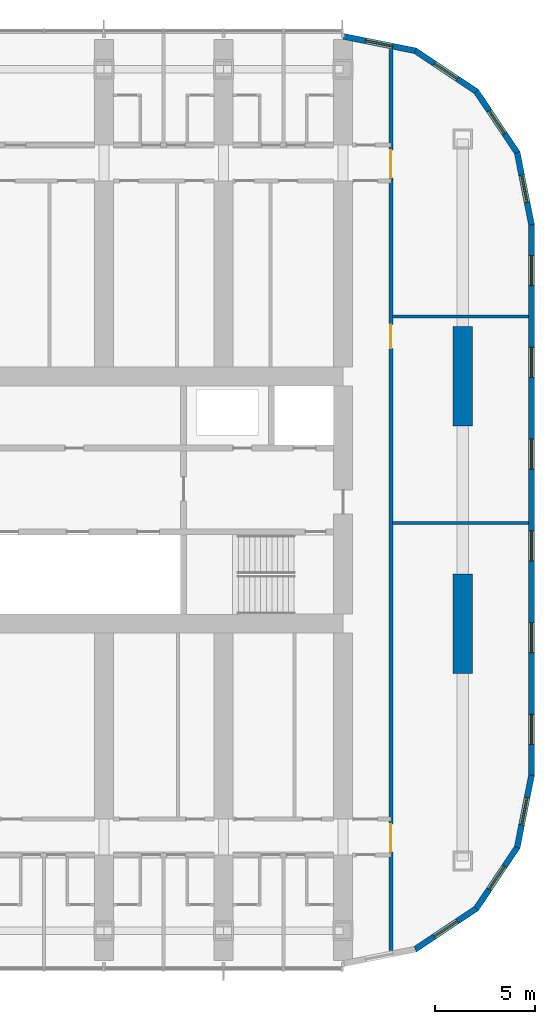
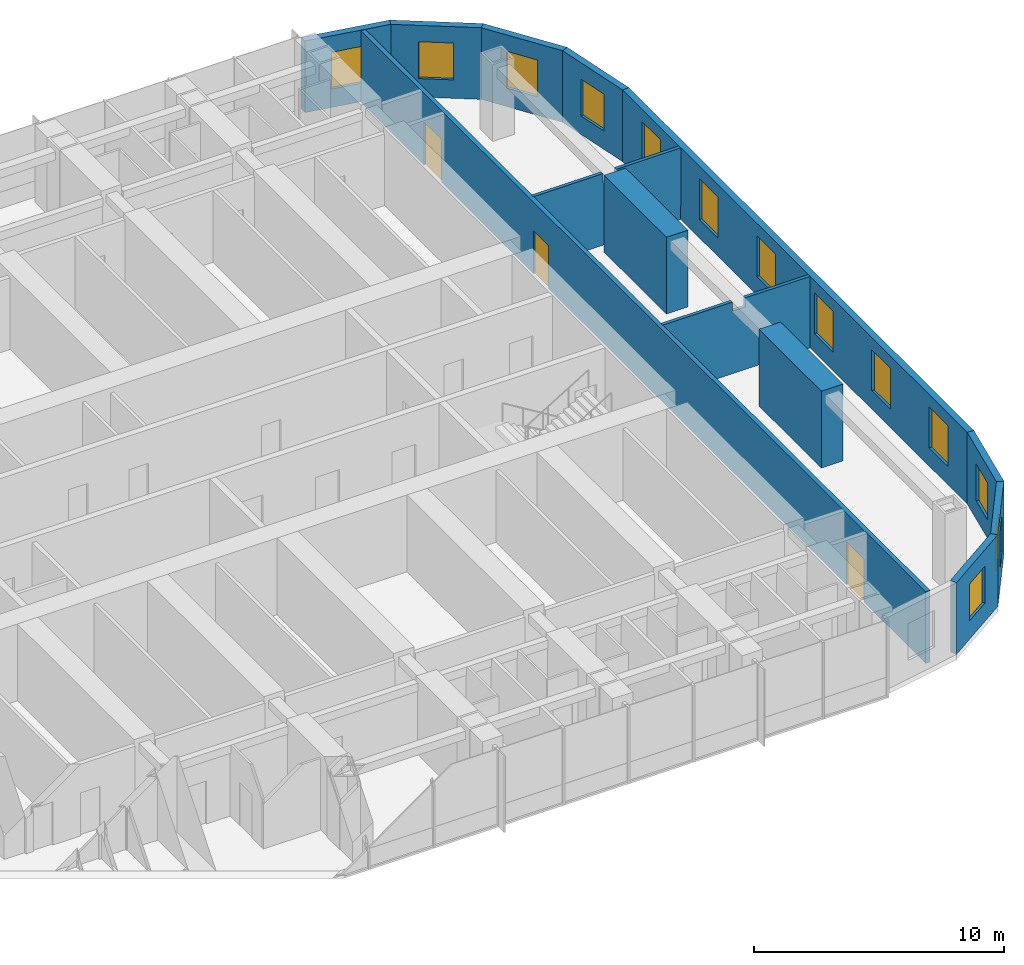
# One storey, part 16 of 21: 13 walls, 13 windows, 3 doors, 16 openings.
"""IFC4 building model written with IfcOpenShell, lengths in metres."""

from ifc_helpers import new_model, si_unit, direction, frame, frame_2d, origin, place, context, subcontext, project, spatial, polyline, rectangle, outline, extrude, material, layer, layer_set, type_object, element, fill, save


model = new_model("IFC4")

# Units and contexts
model_context = context("Model", 3, precision=1e-05, world=origin(), true_north=direction((0.0, 1.0)))
body_context = subcontext(model_context, "Body", "Model", "MODEL_VIEW")
ifc_project = project(units=[si_unit("LENGTHUNIT", "METRE"), si_unit("AREAUNIT", "SQUARE_METRE"), si_unit("VOLUMEUNIT", "CUBIC_METRE"), si_unit("PLANEANGLEUNIT", "RADIAN"), si_unit("MASSUNIT", "GRAM", prefix="KILO")], contexts=[model_context])

# Site, building, storey
site_placement = place(None, origin())
site = spatial("IfcSite", under=ifc_project, at=site_placement, CompositionType="ELEMENT")
building_placement = place(site_placement, origin())
building = spatial("IfcBuilding", under=site, at=building_placement, Name="Orbita Commons", CompositionType="ELEMENT")
storey_placement = place(building_placement, frame((0.0, 0.0, 88.14990234375)))
storey = spatial("IfcBuildingStorey", under=building, at=storey_placement, Name="L21", CompositionType="ELEMENT", Elevation=88.14990234375)

# Wall, openings, doors
ifc_material_1 = material(Name="Concrete blockwork", Category="masonry")
ifc_layer_1 = layer(ifc_material_1, 0.199951171875)
ifc_layer_set_1 = layer_set([ifc_layer_1], Name="Concrete blockwork")
wall_type_1 = type_object("IfcWallType", Name="Corridor wall 200 blockwork", PredefinedType="SOLIDWALL", material=ifc_layer_set_1)
wall_1_placement = place(storey_placement, frame((68.39990234375, 9.4052734375, 0.0), z_axis=(0.0, 0.0, 1.0), x_axis=(0.0, 1.0, 0.0)))
wall_1 = element("IfcWall", 1, at=wall_1_placement, inside=storey, type_object=wall_type_1, Name="Corridor wall 200 blockwork L21", PredefinedType="SOLIDWALL", context=body_context, shape_type="SweptSolid", body=[
    extrude(rectangle(XDim=45.189453125, YDim=0.199951171875, at=frame_2d((22.5947265625, 0.0))), origin(), (0.0, 0.0, 1.0), 3.5),
])
opening_1_placement = place(wall_1_placement, frame((30.19482421875, 0.0, 0.0)))
opening_1 = element("IfcOpeningElement", 2, at=opening_1_placement, cuts=wall_1, Name="Opening D15", PredefinedType="OPENING", context=body_context, shape_type="SweptSolid", body=[
    extrude(rectangle(XDim=1.199951171875, YDim=2.10009765625, at=frame_2d((0.60009765625, 1.050048828125))), frame((0.0, 0.10986328125, 0.0), z_axis=(0.0, -1.0, 0.0), x_axis=(1.0, 0.0, 0.0)), (0.0, 0.0, 1.0), 0.219970703125),
])
opening_2_placement = place(wall_1_placement, frame((4.94482421875, 0.0, 0.0)))
opening_2 = element("IfcOpeningElement", 3, at=opening_2_placement, cuts=wall_1, Name="Opening D08", PredefinedType="OPENING", context=body_context, shape_type="SweptSolid", body=[
    extrude(rectangle(XDim=1.39990234375, YDim=2.10009765625, at=frame_2d((0.699951171875, 1.050048828125))), frame((0.0, 0.10986328125, 0.0), z_axis=(0.0, -1.0, 0.0), x_axis=(1.0, 0.0, 0.0)), (0.0, 0.0, 1.0), 0.219970703125),
])
opening_3_placement = place(wall_1_placement, frame((38.74462890625, 0.0, 0.0)))
opening_3 = element("IfcOpeningElement", 4, at=opening_3_placement, cuts=wall_1, Name="Opening D08", PredefinedType="OPENING", context=body_context, shape_type="SweptSolid", body=[
    extrude(rectangle(XDim=1.39990234375, YDim=2.10009765625, at=frame_2d((0.699951171875, 1.050048828125))), frame((0.0, 0.10986328125, 0.0), z_axis=(0.0, -1.0, 0.0), x_axis=(1.0, 0.0, 0.0)), (0.0, 0.0, 1.0), 0.219970703125),
])
ifc_material_2 = material(Name="Steel-faced fire door leaf", Category="steel")
door_type_1 = type_object("IfcDoorType", Name="Corridor door 20 min 1200x2100", OperationType="SINGLE_SWING_LEFT", PredefinedType="DOOR", material=ifc_material_2)
door_1_placement = place(opening_1_placement, origin())
door_1 = element("IfcDoor", 5, at=door_1_placement, inside=storey, type_object=door_type_1, Name="Study hall door", OperationType="SINGLE_SWING_LEFT", OverallHeight=2.10009765625, OverallWidth=1.199951171875, PredefinedType="DOOR", context=body_context, shape_type="SweptSolid", body=[
    extrude(rectangle(XDim=1.199951171875, YDim=2.10009765625, at=frame_2d((0.60009765625, 1.050048828125))), frame((0.0, 0.02490234375, 0.0), z_axis=(0.0, -1.0, 0.0), x_axis=(1.0, 0.0, 0.0)), (0.0, 0.0, 1.0), 0.050048828125),
])
fill(opening_1, door_1)
ifc_material_3 = material(Name="Steel-faced fire door leaf", Category="steel")
door_type_2 = type_object("IfcDoorType", Name="Double corridor door 20 min 1400x2100", OperationType="DOUBLE_DOOR_SINGLE_SWING", PredefinedType="DOOR", material=ifc_material_3)
door_2_placement = place(opening_2_placement, origin())
door_2 = element("IfcDoor", 6, at=door_2_placement, inside=storey, type_object=door_type_2, Name="Lounge doors", OperationType="DOUBLE_DOOR_SINGLE_SWING", OverallHeight=2.10009765625, OverallWidth=1.39990234375, PredefinedType="DOOR", context=body_context, shape_type="SweptSolid", body=[
    extrude(rectangle(XDim=1.39990234375, YDim=2.10009765625, at=frame_2d((0.699951171875, 1.050048828125))), frame((0.0, 0.02490234375, 0.0), z_axis=(0.0, -1.0, 0.0), x_axis=(1.0, 0.0, 0.0)), (0.0, 0.0, 1.0), 0.050048828125),
])
fill(opening_2, door_2)
door_3_placement = place(opening_3_placement, origin())
door_3 = element("IfcDoor", 7, at=door_3_placement, inside=storey, type_object=door_type_2, Name="Lounge doors", OperationType="DOUBLE_DOOR_SINGLE_SWING", OverallHeight=2.10009765625, OverallWidth=1.39990234375, PredefinedType="DOOR", context=body_context, shape_type="SweptSolid", body=[
    extrude(rectangle(XDim=1.39990234375, YDim=2.10009765625, at=frame_2d((0.699951171875, 1.050048828125))), frame((0.0, 0.02490234375, 0.0), z_axis=(0.0, -1.0, 0.0), x_axis=(1.0, 0.0, 0.0)), (0.0, 0.0, 1.0), 0.050048828125),
])
fill(opening_3, door_3)

# Walls
ifc_material_4 = material(Name="Concrete C50/60", Category="concrete")
ifc_layer_2 = layer(ifc_material_4, 1.0)
ifc_layer_set_2 = layer_set([ifc_layer_2], Name="Concrete C50/60")
wall_type_2 = type_object("IfcWallType", Name="End pier 1000x5000 C50/60", PredefinedType="SHEAR", material=ifc_layer_set_2)
for number, where, z_axis, x_axis, name in (
    (8, (72.0, 23.300048828125, 0.0), (0.0, 0.0, 1.0), (0.0, 1.0, 0.0), "End pier 13/C L21"),
    (9, (72.0, 35.699951171875, 0.0), (0.0, 0.0, 1.0), (0.0, 1.0, 0.0), "End pier 13/D L21"),
):
    element("IfcWall", number, at=place(storey_placement, frame(where, z_axis=z_axis, x_axis=x_axis)), inside=storey, type_object=wall_type_2, Name=name, PredefinedType="SHEAR", context=body_context, shape_type="SweptSolid", body=[
        extrude(rectangle(XDim=5.0, YDim=1.0, at=frame_2d((2.5, 0.0))), origin(), (0.0, 0.0, 1.0), 3.75),
    ])
ifc_material_5 = material(Name="Gypsum plasterboard on steel studs", Category="steel")
ifc_layer_3 = layer(ifc_material_5, 0.14990234375)
ifc_layer_set_3 = layer_set([ifc_layer_3], Name="Gypsum plasterboard on steel studs")
wall_type_3 = type_object("IfcWallType", Name="Partition 150 plasterboard", PredefinedType="PARTITIONING", material=ifc_layer_set_3)
for number, where, z_axis, x_axis, name in (
    (10, (68.47509765625, 30.85009765625, 0.0), (0.0, 0.0, 1.0), (1.0, 0.0, 0.0), "Partition 150 plasterboard L21"),
    (11, (68.47509765625, 41.199951171875, 0.0), (0.0, 0.0, 1.0), (1.0, 0.0, 0.0), "Partition 150 plasterboard L21"),
):
    element("IfcWall", number, at=place(storey_placement, frame(where, z_axis=z_axis, x_axis=x_axis)), inside=storey, type_object=wall_type_3, Name=name, PredefinedType="PARTITIONING", context=body_context, shape_type="SweptSolid", body=[
        extrude(outline(polyline([(0.0, 0.0), (6.81982421875, 0.0), (6.820068359375, 3.5), (3.826904296875, 3.5), (3.824951171875, 3.050048828125), (3.22705078125, 3.050048828125), (3.22509765625, 3.5), (0.0, 3.5), (0.0, 0.0)])), frame((0.0, 0.074951171875, 0.0), z_axis=(0.0, -1.0, 0.0), x_axis=(1.0, 0.0, 0.0)), (0.0, 0.0, 1.0), 0.14990234375),
    ])

# Wall, openings, windows
ifc_material_6 = material(Name="Precast concrete C40/50, white board-marked finish", Category="concrete")
ifc_layer_4 = layer(ifc_material_6, 0.300048828125)
ifc_layer_set_4 = layer_set([ifc_layer_4], Name="Precast concrete C40/50, white board-marked finish")
wall_type_4 = type_object("IfcWallType", Name="Precast concrete end shield 300", PredefinedType="SOLIDWALL", material=ifc_layer_set_4)
wall_2_placement = place(storey_placement, frame((75.449951171875, 18.199951171875, 0.0), z_axis=(0.0, 0.0, 1.0), x_axis=(0.0, 1.0, 0.0)))
wall_2 = element("IfcWall", 12, at=wall_2_placement, inside=storey, type_object=wall_type_4, Name="End shield E L21", PredefinedType="SOLIDWALL", context=body_context, shape_type="SweptSolid", body=[
    extrude(outline(polyline([(-0.014892578125, -0.14990234375), (27.614990234375, -0.14990234375), (27.585205078125, 0.14990234375), (0.014892578125, 0.14990234375), (-0.014892578125, -0.14990234375)])), origin(), (0.0, 0.0, 1.0), 3.5),
])
opening_4_placement = place(wall_2_placement, frame((1.550048828125, 0.0, 0.89990234375)))
opening_4 = element("IfcOpeningElement", 13, at=opening_4_placement, cuts=wall_2, Name="Opening W01", PredefinedType="OPENING", context=body_context, shape_type="SweptSolid", body=[
    extrude(rectangle(XDim=1.5, YDim=2.0, at=frame_2d((0.75, 1.0))), frame((0.0, 0.159912109375, 0.0), z_axis=(0.0, -1.0, 0.0), x_axis=(1.0, 0.0, 0.0)), (0.0, 0.0, 1.0), 0.320068359375),
])
opening_5_placement = place(wall_2_placement, frame((6.14990234375, 0.0, 0.89990234375)))
opening_5 = element("IfcOpeningElement", 14, at=opening_5_placement, cuts=wall_2, Name="Opening W01", PredefinedType="OPENING", context=body_context, shape_type="SweptSolid", body=[
    extrude(rectangle(XDim=1.5, YDim=2.0, at=frame_2d((0.75, 1.0))), frame((0.0, 0.159912109375, 0.0), z_axis=(0.0, -1.0, 0.0), x_axis=(1.0, 0.0, 0.0)), (0.0, 0.0, 1.0), 0.320068359375),
])
opening_6_placement = place(wall_2_placement, frame((10.75, 0.0, 0.89990234375)))
opening_6 = element("IfcOpeningElement", 15, at=opening_6_placement, cuts=wall_2, Name="Opening W01", PredefinedType="OPENING", context=body_context, shape_type="SweptSolid", body=[
    extrude(rectangle(XDim=1.5, YDim=2.0, at=frame_2d((0.75, 1.0))), frame((0.0, 0.159912109375, 0.0), z_axis=(0.0, -1.0, 0.0), x_axis=(1.0, 0.0, 0.0)), (0.0, 0.0, 1.0), 0.320068359375),
])
opening_7_placement = place(wall_2_placement, frame((15.35009765625, 0.0, 0.89990234375)))
opening_7 = element("IfcOpeningElement", 16, at=opening_7_placement, cuts=wall_2, Name="Opening W01", PredefinedType="OPENING", context=body_context, shape_type="SweptSolid", body=[
    extrude(rectangle(XDim=1.5, YDim=2.0, at=frame_2d((0.75, 1.0))), frame((0.0, 0.159912109375, 0.0), z_axis=(0.0, -1.0, 0.0), x_axis=(1.0, 0.0, 0.0)), (0.0, 0.0, 1.0), 0.320068359375),
])
opening_8_placement = place(wall_2_placement, frame((19.949951171875, 0.0, 0.89990234375)))
opening_8 = element("IfcOpeningElement", 17, at=opening_8_placement, cuts=wall_2, Name="Opening W01", PredefinedType="OPENING", context=body_context, shape_type="SweptSolid", body=[
    extrude(rectangle(XDim=1.5, YDim=2.0, at=frame_2d((0.75, 1.0))), frame((0.0, 0.159912109375, 0.0), z_axis=(0.0, -1.0, 0.0), x_axis=(1.0, 0.0, 0.0)), (0.0, 0.0, 1.0), 0.320068359375),
])
opening_9_placement = place(wall_2_placement, frame((24.550048828125, 0.0, 0.89990234375)))
opening_9 = element("IfcOpeningElement", 18, at=opening_9_placement, cuts=wall_2, Name="Opening W01", PredefinedType="OPENING", context=body_context, shape_type="SweptSolid", body=[
    extrude(rectangle(XDim=1.5, YDim=2.0, at=frame_2d((0.75, 1.0))), frame((0.0, 0.159912109375, 0.0), z_axis=(0.0, -1.0, 0.0), x_axis=(1.0, 0.0, 0.0)), (0.0, 0.0, 1.0), 0.320068359375),
])
ifc_material_7 = material(Name="Aluminium frame, clear double glazing", Category="aluminium")
window_type_1 = type_object("IfcWindowType", Name="Deep-set window 1500x2000", PartitioningType="SINGLE_PANEL", PredefinedType="WINDOW", material=ifc_material_7)
window_1_placement = place(opening_4_placement, origin())
window_1 = element("IfcWindow", 19, at=window_1_placement, inside=storey, type_object=window_type_1, Name="Window L21-E 1", OverallHeight=2.0, OverallWidth=1.5, PartitioningType="SINGLE_PANEL", PredefinedType="WINDOW", context=body_context, shape_type="SweptSolid", body=[
    extrude(rectangle(XDim=1.5, YDim=2.0, at=frame_2d((0.75, 1.0))), frame((0.0, 0.030029296875, 0.0), z_axis=(0.0, -1.0, 0.0), x_axis=(1.0, 0.0, 0.0)), (0.0, 0.0, 1.0), 0.06005859375),
])
fill(opening_4, window_1)
window_2_placement = place(opening_5_placement, origin())
window_2 = element("IfcWindow", 20, at=window_2_placement, inside=storey, type_object=window_type_1, Name="Window L21-E 2", OverallHeight=2.0, OverallWidth=1.5, PartitioningType="SINGLE_PANEL", PredefinedType="WINDOW", context=body_context, shape_type="SweptSolid", body=[
    extrude(rectangle(XDim=1.5, YDim=2.0, at=frame_2d((0.75, 1.0))), frame((0.0, 0.030029296875, 0.0), z_axis=(0.0, -1.0, 0.0), x_axis=(1.0, 0.0, 0.0)), (0.0, 0.0, 1.0), 0.06005859375),
])
fill(opening_5, window_2)
window_3_placement = place(opening_6_placement, origin())
window_3 = element("IfcWindow", 21, at=window_3_placement, inside=storey, type_object=window_type_1, Name="Window L21-E 3", OverallHeight=2.0, OverallWidth=1.5, PartitioningType="SINGLE_PANEL", PredefinedType="WINDOW", context=body_context, shape_type="SweptSolid", body=[
    extrude(rectangle(XDim=1.5, YDim=2.0, at=frame_2d((0.75, 1.0))), frame((0.0, 0.030029296875, 0.0), z_axis=(0.0, -1.0, 0.0), x_axis=(1.0, 0.0, 0.0)), (0.0, 0.0, 1.0), 0.06005859375),
])
fill(opening_6, window_3)
window_4_placement = place(opening_7_placement, origin())
window_4 = element("IfcWindow", 22, at=window_4_placement, inside=storey, type_object=window_type_1, Name="Window L21-E 4", OverallHeight=2.0, OverallWidth=1.5, PartitioningType="SINGLE_PANEL", PredefinedType="WINDOW", context=body_context, shape_type="SweptSolid", body=[
    extrude(rectangle(XDim=1.5, YDim=2.0, at=frame_2d((0.75, 1.0))), frame((0.0, 0.030029296875, 0.0), z_axis=(0.0, -1.0, 0.0), x_axis=(1.0, 0.0, 0.0)), (0.0, 0.0, 1.0), 0.06005859375),
])
fill(opening_7, window_4)
window_5_placement = place(opening_8_placement, origin())
window_5 = element("IfcWindow", 23, at=window_5_placement, inside=storey, type_object=window_type_1, Name="Window L21-E 5", OverallHeight=2.0, OverallWidth=1.5, PartitioningType="SINGLE_PANEL", PredefinedType="WINDOW", context=body_context, shape_type="SweptSolid", body=[
    extrude(rectangle(XDim=1.5, YDim=2.0, at=frame_2d((0.75, 1.0))), frame((0.0, 0.030029296875, 0.0), z_axis=(0.0, -1.0, 0.0), x_axis=(1.0, 0.0, 0.0)), (0.0, 0.0, 1.0), 0.06005859375),
])
fill(opening_8, window_5)
window_6_placement = place(opening_9_placement, origin())
window_6 = element("IfcWindow", 24, at=window_6_placement, inside=storey, type_object=window_type_1, Name="Window L21-E 6", OverallHeight=2.0, OverallWidth=1.5, PartitioningType="SINGLE_PANEL", PredefinedType="WINDOW", context=body_context, shape_type="SweptSolid", body=[
    extrude(rectangle(XDim=1.5, YDim=2.0, at=frame_2d((0.75, 1.0))), frame((0.0, 0.030029296875, 0.0), z_axis=(0.0, -1.0, 0.0), x_axis=(1.0, 0.0, 0.0)), (0.0, 0.0, 1.0), 0.06005859375),
])
fill(opening_9, window_6)

# Wall, opening, window
wall_3_placement = place(storey_placement, frame((69.616455078125, 9.46923828125, 0.0), z_axis=(0.0, 0.0, 1.0), x_axis=(0.831448786846, 0.555601399253, 0.0)))
wall_3 = element("IfcWall", 25, at=wall_3_placement, inside=storey, type_object=wall_type_4, Name="End shield SE chord 2 L21", PredefinedType="SOLIDWALL", context=body_context, shape_type="SweptSolid", body=[
    extrude(outline(polyline([(-0.02978515625, -0.14990234375), (3.717041015625, -0.14990234375), (3.657470703125, 0.14990234375), (0.02978515625, 0.14990234375), (-0.02978515625, -0.14990234375)])), origin(), (0.0, 0.0, 1.0), 3.5),
])
opening_10_placement = place(wall_3_placement, frame((1.1435546875, 0.0, 0.89990234375)))
opening_10 = element("IfcOpeningElement", 26, at=opening_10_placement, cuts=wall_3, Name="Opening W02", PredefinedType="OPENING", context=body_context, shape_type="SweptSolid", body=[
    extrude(rectangle(XDim=1.39990234375, YDim=1.800048828125, at=frame_2d((0.699951171875, 0.89990234375))), frame((0.0, 0.159912109375, 0.0), z_axis=(0.0, -1.0, 0.0), x_axis=(1.0, 0.0, 0.0)), (0.0, 0.0, 1.0), 0.320068359375),
])
ifc_material_8 = material(Name="Aluminium frame, clear double glazing", Category="aluminium")
window_type_2 = type_object("IfcWindowType", Name="Deep-set window 1400x1800", PartitioningType="SINGLE_PANEL", PredefinedType="WINDOW", material=ifc_material_8)
window_7_placement = place(opening_10_placement, origin())
window_7 = element("IfcWindow", 27, at=window_7_placement, inside=storey, type_object=window_type_2, Name="Window L21-SE1", OverallHeight=1.800048828125, OverallWidth=1.39990234375, PartitioningType="SINGLE_PANEL", PredefinedType="WINDOW", context=body_context, shape_type="SweptSolid", body=[
    extrude(rectangle(XDim=1.39990234375, YDim=1.800048828125, at=frame_2d((0.699951171875, 0.89990234375))), frame((0.0, 0.030029296875, 0.0), z_axis=(0.0, -1.0, 0.0), x_axis=(1.0, 0.0, 0.0)), (0.0, 0.0, 1.0), 0.06005859375),
])
fill(opening_10, window_7)

wall_4_placement = place(storey_placement, frame((72.68212890625, 11.517822265625, 0.0), z_axis=(0.0, 0.0, 1.0), x_axis=(0.555601399253, 0.831448786846, 0.0)))
wall_4 = element("IfcWall", 28, at=wall_4_placement, inside=storey, type_object=wall_type_4, Name="End shield SE chord 3 L21", PredefinedType="SOLIDWALL", context=body_context, shape_type="SweptSolid", body=[
    extrude(outline(polyline([(-0.02978515625, -0.14990234375), (3.717041015625, -0.14990234375), (3.657470703125, 0.14990234375), (0.02978515625, 0.14990234375), (-0.02978515625, -0.14990234375)])), origin(), (0.0, 0.0, 1.0), 3.5),
])
opening_11_placement = place(wall_4_placement, frame((1.1435546875, 0.0, 0.89990234375)))
opening_11 = element("IfcOpeningElement", 29, at=opening_11_placement, cuts=wall_4, Name="Opening W02", PredefinedType="OPENING", context=body_context, shape_type="SweptSolid", body=[
    extrude(rectangle(XDim=1.39990234375, YDim=1.800048828125, at=frame_2d((0.699951171875, 0.89990234375))), frame((0.0, 0.159912109375, 0.0), z_axis=(0.0, -1.0, 0.0), x_axis=(1.0, 0.0, 0.0)), (0.0, 0.0, 1.0), 0.320068359375),
])
window_8_placement = place(opening_11_placement, origin())
window_8 = element("IfcWindow", 30, at=window_8_placement, inside=storey, type_object=window_type_2, Name="Window L21-SE2", OverallHeight=1.800048828125, OverallWidth=1.39990234375, PartitioningType="SINGLE_PANEL", PredefinedType="WINDOW", context=body_context, shape_type="SweptSolid", body=[
    extrude(rectangle(XDim=1.39990234375, YDim=1.800048828125, at=frame_2d((0.699951171875, 0.89990234375))), frame((0.0, 0.030029296875, 0.0), z_axis=(0.0, -1.0, 0.0), x_axis=(1.0, 0.0, 0.0)), (0.0, 0.0, 1.0), 0.06005859375),
])
fill(opening_11, window_8)

wall_5_placement = place(storey_placement, frame((74.730712890625, 14.58349609375, 0.0), z_axis=(0.0, 0.0, 1.0), x_axis=(0.195059183267, 0.980791473772, 0.0)))
wall_5 = element("IfcWall", 31, at=wall_5_placement, inside=storey, type_object=wall_type_4, Name="End shield SE chord 4 L21", PredefinedType="SOLIDWALL", context=body_context, shape_type="SweptSolid", body=[
    extrude(outline(polyline([(-0.02978515625, -0.14990234375), (3.7021484375, -0.14990234375), (3.67236328125, 0.14990234375), (0.02978515625, 0.14990234375), (-0.02978515625, -0.14990234375)])), origin(), (0.0, 0.0, 1.0), 3.5),
])
opening_12_placement = place(wall_5_placement, frame((1.1435546875, 0.0, 0.89990234375)))
opening_12 = element("IfcOpeningElement", 32, at=opening_12_placement, cuts=wall_5, Name="Opening W02", PredefinedType="OPENING", context=body_context, shape_type="SweptSolid", body=[
    extrude(rectangle(XDim=1.39990234375, YDim=1.800048828125, at=frame_2d((0.699951171875, 0.89990234375))), frame((0.0, 0.159912109375, 0.0), z_axis=(0.0, -1.0, 0.0), x_axis=(1.0, 0.0, 0.0)), (0.0, 0.0, 1.0), 0.320068359375),
])
window_9_placement = place(opening_12_placement, origin())
window_9 = element("IfcWindow", 33, at=window_9_placement, inside=storey, type_object=window_type_2, Name="Window L21-SE3", OverallHeight=1.800048828125, OverallWidth=1.39990234375, PartitioningType="SINGLE_PANEL", PredefinedType="WINDOW", context=body_context, shape_type="SweptSolid", body=[
    extrude(rectangle(XDim=1.39990234375, YDim=1.800048828125, at=frame_2d((0.699951171875, 0.89990234375))), frame((0.0, 0.030029296875, 0.0), z_axis=(0.0, -1.0, 0.0), x_axis=(1.0, 0.0, 0.0)), (0.0, 0.0, 1.0), 0.06005859375),
])
fill(opening_12, window_9)

wall_6_placement = place(storey_placement, frame((75.449951171875, 45.800048828125, 0.0), z_axis=(0.0, 0.0, 1.0), x_axis=(-0.195059183267, 0.980791473772, 0.0)))
wall_6 = element("IfcWall", 34, at=wall_6_placement, inside=storey, type_object=wall_type_4, Name="End shield NE chord 1 L21", PredefinedType="SOLIDWALL", context=body_context, shape_type="SweptSolid", body=[
    extrude(outline(polyline([(-0.014892578125, -0.14990234375), (3.717041015625, -0.14990234375), (3.657470703125, 0.14990234375), (0.014892578125, 0.14990234375), (-0.014892578125, -0.14990234375)])), origin(), (0.0, 0.0, 1.0), 3.5),
])
opening_13_placement = place(wall_6_placement, frame((1.1435546875, 0.0, 0.89990234375)))
opening_13 = element("IfcOpeningElement", 35, at=opening_13_placement, cuts=wall_6, Name="Opening W02", PredefinedType="OPENING", context=body_context, shape_type="SweptSolid", body=[
    extrude(rectangle(XDim=1.39990234375, YDim=1.800048828125, at=frame_2d((0.699951171875, 0.89990234375))), frame((0.0, 0.159912109375, 0.0), z_axis=(0.0, -1.0, 0.0), x_axis=(1.0, 0.0, 0.0)), (0.0, 0.0, 1.0), 0.320068359375),
])
window_10_placement = place(opening_13_placement, origin())
window_10 = element("IfcWindow", 36, at=window_10_placement, inside=storey, type_object=window_type_2, Name="Window L21-NE0", OverallHeight=1.800048828125, OverallWidth=1.39990234375, PartitioningType="SINGLE_PANEL", PredefinedType="WINDOW", context=body_context, shape_type="SweptSolid", body=[
    extrude(rectangle(XDim=1.39990234375, YDim=1.800048828125, at=frame_2d((0.699951171875, 0.89990234375))), frame((0.0, 0.030029296875, 0.0), z_axis=(0.0, -1.0, 0.0), x_axis=(1.0, 0.0, 0.0)), (0.0, 0.0, 1.0), 0.06005859375),
])
fill(opening_13, window_10)

wall_7_placement = place(storey_placement, frame((74.730712890625, 49.41650390625, 0.0), z_axis=(0.0, 0.0, 1.0), x_axis=(-0.555601399253, 0.831448786846, 0.0)))
wall_7 = element("IfcWall", 37, at=wall_7_placement, inside=storey, type_object=wall_type_4, Name="End shield NE chord 2 L21", PredefinedType="SOLIDWALL", context=body_context, shape_type="SweptSolid", body=[
    extrude(outline(polyline([(-0.02978515625, -0.14990234375), (3.717041015625, -0.14990234375), (3.657470703125, 0.14990234375), (0.02978515625, 0.14990234375), (-0.02978515625, -0.14990234375)])), origin(), (0.0, 0.0, 1.0), 3.5),
])
opening_14_placement = place(wall_7_placement, frame((1.1435546875, 0.0, 0.89990234375)))
opening_14 = element("IfcOpeningElement", 38, at=opening_14_placement, cuts=wall_7, Name="Opening W02", PredefinedType="OPENING", context=body_context, shape_type="SweptSolid", body=[
    extrude(rectangle(XDim=1.39990234375, YDim=1.800048828125, at=frame_2d((0.699951171875, 0.89990234375))), frame((0.0, 0.159912109375, 0.0), z_axis=(0.0, -1.0, 0.0), x_axis=(1.0, 0.0, 0.0)), (0.0, 0.0, 1.0), 0.320068359375),
])
window_11_placement = place(opening_14_placement, origin())
window_11 = element("IfcWindow", 39, at=window_11_placement, inside=storey, type_object=window_type_2, Name="Window L21-NE1", OverallHeight=1.800048828125, OverallWidth=1.39990234375, PartitioningType="SINGLE_PANEL", PredefinedType="WINDOW", context=body_context, shape_type="SweptSolid", body=[
    extrude(rectangle(XDim=1.39990234375, YDim=1.800048828125, at=frame_2d((0.699951171875, 0.89990234375))), frame((0.0, 0.030029296875, 0.0), z_axis=(0.0, -1.0, 0.0), x_axis=(1.0, 0.0, 0.0)), (0.0, 0.0, 1.0), 0.06005859375),
])
fill(opening_14, window_11)

wall_8_placement = place(storey_placement, frame((72.68212890625, 52.482177734375, 0.0), z_axis=(0.0, 0.0, 1.0), x_axis=(-0.831448786846, 0.555601399253, 0.0)))
wall_8 = element("IfcWall", 40, at=wall_8_placement, inside=storey, type_object=wall_type_4, Name="End shield NE chord 3 L21", PredefinedType="SOLIDWALL", context=body_context, shape_type="SweptSolid", body=[
    extrude(outline(polyline([(-0.02978515625, -0.14990234375), (3.717041015625, -0.14990234375), (3.657470703125, 0.14990234375), (0.02978515625, 0.14990234375), (-0.02978515625, -0.14990234375)])), origin(), (0.0, 0.0, 1.0), 3.5),
])
opening_15_placement = place(wall_8_placement, frame((1.1435546875, 0.0, 0.89990234375)))
opening_15 = element("IfcOpeningElement", 41, at=opening_15_placement, cuts=wall_8, Name="Opening W02", PredefinedType="OPENING", context=body_context, shape_type="SweptSolid", body=[
    extrude(rectangle(XDim=1.39990234375, YDim=1.800048828125, at=frame_2d((0.699951171875, 0.89990234375))), frame((0.0, 0.159912109375, 0.0), z_axis=(0.0, -1.0, 0.0), x_axis=(1.0, 0.0, 0.0)), (0.0, 0.0, 1.0), 0.320068359375),
])
window_12_placement = place(opening_15_placement, origin())
window_12 = element("IfcWindow", 42, at=window_12_placement, inside=storey, type_object=window_type_2, Name="Window L21-NE2", OverallHeight=1.800048828125, OverallWidth=1.39990234375, PartitioningType="SINGLE_PANEL", PredefinedType="WINDOW", context=body_context, shape_type="SweptSolid", body=[
    extrude(rectangle(XDim=1.39990234375, YDim=1.800048828125, at=frame_2d((0.699951171875, 0.89990234375))), frame((0.0, 0.030029296875, 0.0), z_axis=(0.0, -1.0, 0.0), x_axis=(1.0, 0.0, 0.0)), (0.0, 0.0, 1.0), 0.06005859375),
])
fill(opening_15, window_12)

wall_9_placement = place(storey_placement, frame((69.616455078125, 54.53076171875, 0.0), z_axis=(0.0, 0.0, 1.0), x_axis=(-0.980791473772, 0.195059183267, 0.0)))
wall_9 = element("IfcWall", 43, at=wall_9_placement, inside=storey, type_object=wall_type_4, Name="End shield NE chord 4 L21", PredefinedType="SOLIDWALL", context=body_context, shape_type="SweptSolid", body=[
    extrude(outline(polyline([(-0.02978515625, -0.14990234375), (3.717041015625, -0.14990234375), (3.657470703125, 0.14990234375), (0.02978515625, 0.14990234375), (-0.02978515625, -0.14990234375)])), origin(), (0.0, 0.0, 1.0), 3.5),
])
opening_16_placement = place(wall_9_placement, frame((1.1435546875, 0.0, 0.89990234375)))
opening_16 = element("IfcOpeningElement", 44, at=opening_16_placement, cuts=wall_9, Name="Opening W02", PredefinedType="OPENING", context=body_context, shape_type="SweptSolid", body=[
    extrude(rectangle(XDim=1.39990234375, YDim=1.800048828125, at=frame_2d((0.699951171875, 0.89990234375))), frame((0.0, 0.159912109375, 0.0), z_axis=(0.0, -1.0, 0.0), x_axis=(1.0, 0.0, 0.0)), (0.0, 0.0, 1.0), 0.320068359375),
])
window_13_placement = place(opening_16_placement, origin())
window_13 = element("IfcWindow", 45, at=window_13_placement, inside=storey, type_object=window_type_2, Name="Window L21-NE3", OverallHeight=1.800048828125, OverallWidth=1.39990234375, PartitioningType="SINGLE_PANEL", PredefinedType="WINDOW", context=body_context, shape_type="SweptSolid", body=[
    extrude(rectangle(XDim=1.39990234375, YDim=1.800048828125, at=frame_2d((0.699951171875, 0.89990234375))), frame((0.0, 0.030029296875, 0.0), z_axis=(0.0, -1.0, 0.0), x_axis=(1.0, 0.0, 0.0)), (0.0, 0.0, 1.0), 0.06005859375),
])
fill(opening_16, window_13)

save(model, "model.ifc")
